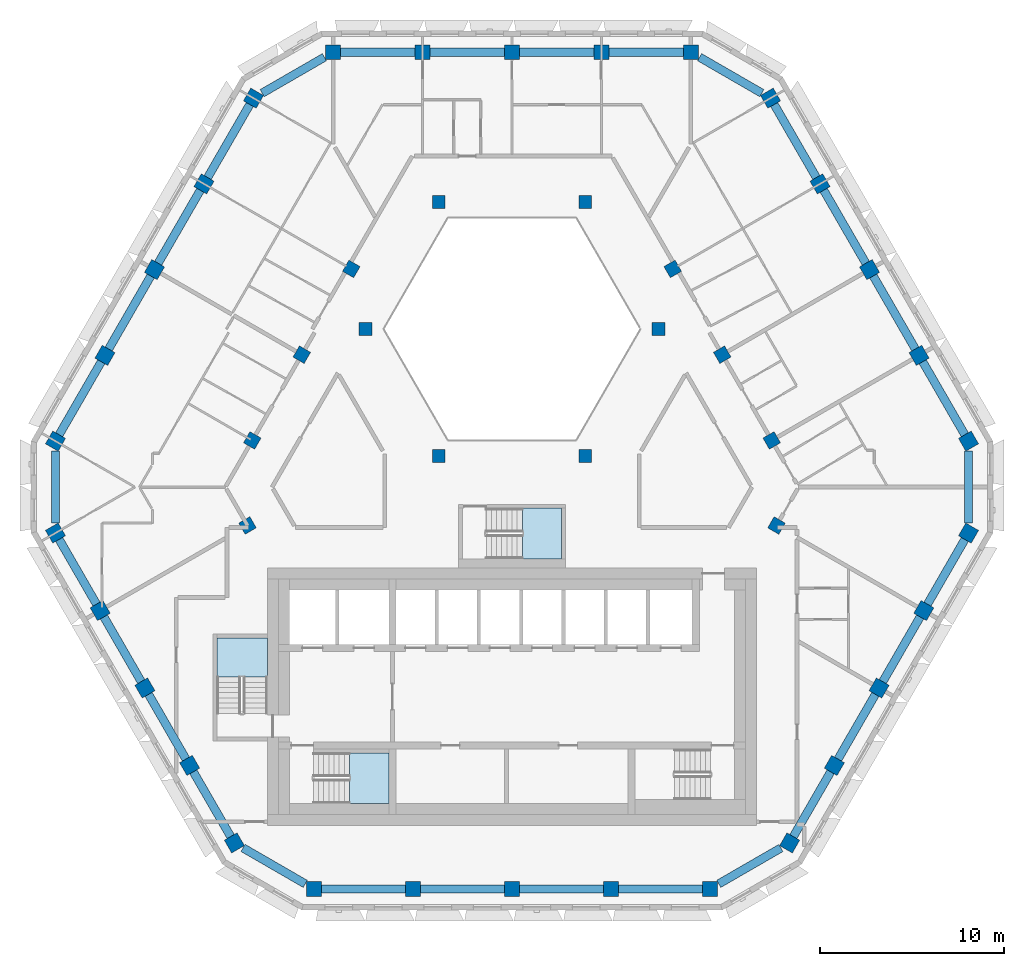
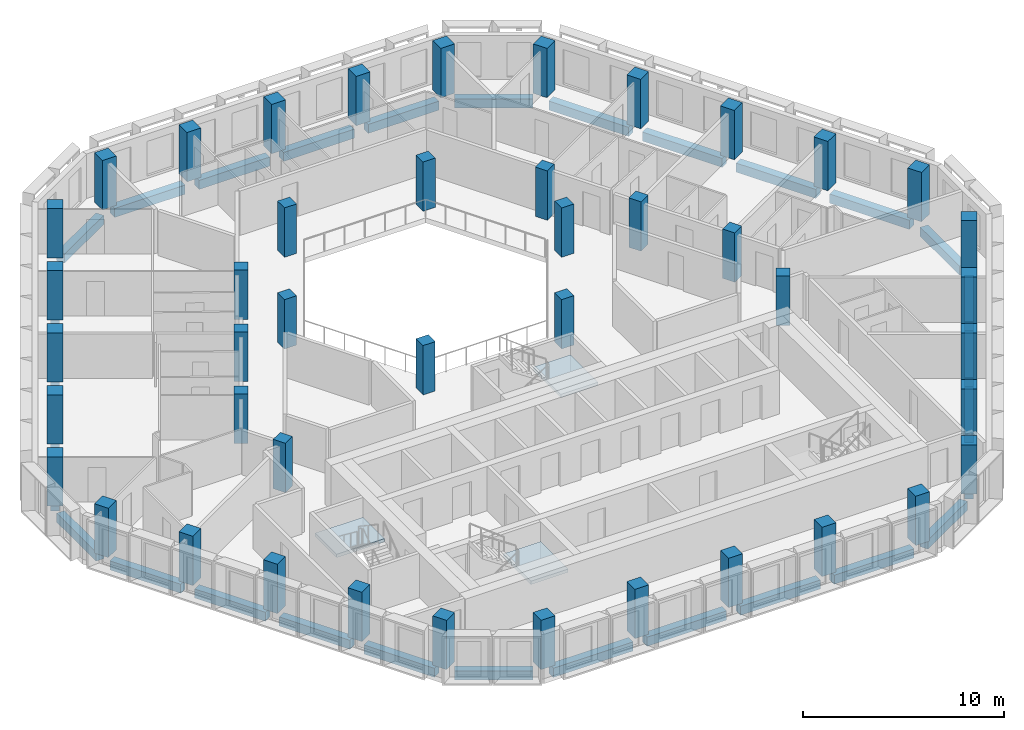
# One storey, part 1 of 18: 44 columns, 30 beams, 3 slabs, 3 elements without a shape of their own.
"""IFC4 building model written with IfcOpenShell, lengths in metres."""

from ifc_helpers import new_model, si_unit, direction, frame, origin, origin_2d, place, context, subcontext, project, spatial, polyline, rectangle, outline, extrude, material, layer, layer_set, material_profile, profile_set, type_object, element, aggregate, save


model = new_model("IFC4")

# Units and contexts
model_context = context("Model", 3, precision=1e-05, world=origin(), true_north=direction((0.0, 1.0)))
body_context = subcontext(model_context, "Body", "Model", "MODEL_VIEW")
ifc_project = project(units=[si_unit("LENGTHUNIT", "METRE"), si_unit("AREAUNIT", "SQUARE_METRE"), si_unit("VOLUMEUNIT", "CUBIC_METRE"), si_unit("PLANEANGLEUNIT", "RADIAN"), si_unit("MASSUNIT", "GRAM", prefix="KILO")], contexts=[model_context])

# Site, building, storey
site_placement = place(None, origin())
site = spatial("IfcSite", under=ifc_project, at=site_placement, CompositionType="ELEMENT")
building_placement = place(site_placement, origin())
building = spatial("IfcBuilding", under=site, at=building_placement, Name="Beryl Residences", CompositionType="ELEMENT")
storey_placement = place(building_placement, frame((0.0, 0.0, 184.199951171875)))
storey = spatial("IfcBuildingStorey", under=building, at=storey_placement, Name="L56", CompositionType="ELEMENT", Elevation=184.199951171875)

# Columns
ifc_material_1 = material(Name="Concrete C50/60", Category="concrete")
ifc_material_profile_1 = material_profile(ifc_material_1, rectangle(XDim=0.800048828125, YDim=0.800048828125, at=origin_2d()))
ifc_profile_set_1 = profile_set([ifc_material_profile_1], Name="Concrete C50/60")
column_type_1 = type_object("IfcColumnType", Name="C4 tube column 800 x 800 C50/60", PredefinedType="COLUMN", material=ifc_profile_set_1)
for number, where, z_axis, x_axis, name in (
    (1, (9.72802734375, 23.050048828125, 0.0), (0.0, 0.0, 1.0), (-1.0, 0.0, 0.0), "C4-N1 L56"),
    (2, (4.864013671875, 23.050048828125, 0.0), (0.0, 0.0, 1.0), (-1.0, 0.0, 0.0), "C4-N2 L56"),
    (3, (0.0, 23.050048828125, 0.0), (0.0, 0.0, 1.0), (-1.0, 0.0, 0.0), "C4-N3 L56"),
    (4, (-4.864013671875, 23.050048828125, 0.0), (0.0, 0.0, 1.0), (-1.0, 0.0, 0.0), "C4-N4 L56"),
    (5, (-9.72802734375, 23.050048828125, 0.0), (0.0, 0.0, 1.0), (-1.0, 0.0, 0.0), "C4-N5 L56"),
    (6, (-14.05810546875, 20.550048828125, 0.0), (0.0, 0.0, 1.0), (-0.5, -0.866025403784, 0.0), "C4-NW1 L56"),
    (7, (-16.75, 15.887939453125, 0.0), (0.0, 0.0, 1.0), (-0.5, -0.866025403784, 0.0), "C4-NW2 L56"),
    (8, (-19.44189453125, 11.22509765625, 0.0), (0.0, 0.0, 1.0), (-0.5, -0.866025403784, 0.0), "C4-NW3 L56"),
    (9, (-22.134033203125, 6.56201171875, 0.0), (0.0, 0.0, 1.0), (-0.5, -0.866025403784, 0.0), "C4-NW4 L56"),
    (10, (-24.825927734375, 1.89990234375, 0.0), (0.0, 0.0, 1.0), (-0.5, -0.866025403784, 0.0), "C4-NW5 L56"),
    (11, (-24.825927734375, -3.09912109375, 0.0), (0.0, 0.0, 1.0), (0.5, -0.866025403784, 0.0), "C4-SW1 L56"),
    (12, (-22.39404296875, -7.31201171875, 0.0), (0.0, 0.0, 1.0), (0.5, -0.866025403784, 0.0), "C4-SW2 L56"),
    (13, (-19.9619140625, -11.52392578125, 0.0), (0.0, 0.0, 1.0), (0.5, -0.866025403784, 0.0), "C4-SW3 L56"),
    (14, (-17.530029296875, -15.736083984375, 0.0), (0.0, 0.0, 1.0), (0.5, -0.866025403784, 0.0), "C4-SW4 L56"),
    (15, (-15.097900390625, -19.948974609375, 0.0), (0.0, 0.0, 1.0), (0.5, -0.866025403784, 0.0), "C4-SW5 L56"),
    (16, (-10.76708984375, -22.449951171875, 0.0), (0.0, 0.0, 1.0), (1.0, 0.0, 0.0), "C4-S1 L56"),
    (17, (-5.383056640625, -22.449951171875, 0.0), (0.0, 0.0, 1.0), (1.0, 0.0, 0.0), "C4-S2 L56"),
    (18, (0.0009765625, -22.449951171875, 0.0), (0.0, 0.0, 1.0), (1.0, 0.0, 0.0), "C4-S3 L56"),
    (19, (5.385009765625, -22.449951171875, 0.0), (0.0, 0.0, 1.0), (1.0, 0.0, 0.0), "C4-S4 L56"),
    (20, (10.76904296875, -22.449951171875, 0.0), (0.0, 0.0, 1.0), (1.0, 0.0, 0.0), "C4-S5 L56"),
    (21, (15.096923828125, -19.950927734375, 0.0), (0.0, 0.0, 1.0), (0.5, 0.866025403784, 0.0), "C4-SE1 L56"),
    (22, (17.529052734375, -15.738037109375, 0.0), (0.0, 0.0, 1.0), (0.5, 0.866025403784, 0.0), "C4-SE2 L56"),
    (23, (19.9609375, -11.52587890625, 0.0), (0.0, 0.0, 1.0), (0.5, 0.866025403784, 0.0), "C4-SE3 L56"),
    (24, (22.39306640625, -7.31396484375, 0.0), (0.0, 0.0, 1.0), (0.5, 0.866025403784, 0.0), "C4-SE4 L56"),
    (25, (24.824951171875, -3.10107421875, 0.0), (0.0, 0.0, 1.0), (0.5, 0.866025403784, 0.0), "C4-SE5 L56"),
    (26, (24.825927734375, 1.89990234375, 0.0), (0.0, 0.0, 1.0), (-0.5, 0.866025403784, 0.0), "C4-NE1 L56"),
    (27, (22.134033203125, 6.56201171875, 0.0), (0.0, 0.0, 1.0), (-0.5, 0.866025403784, 0.0), "C4-NE2 L56"),
    (28, (19.44189453125, 11.22509765625, 0.0), (0.0, 0.0, 1.0), (-0.5, 0.866025403784, 0.0), "C4-NE3 L56"),
    (29, (16.75, 15.887939453125, 0.0), (0.0, 0.0, 1.0), (-0.5, 0.866025403784, 0.0), "C4-NE4 L56"),
    (30, (14.05810546875, 20.550048828125, 0.0), (0.0, 0.0, 1.0), (-0.5, 0.866025403784, 0.0), "C4-NE5 L56"),
):
    element("IfcColumn", number, at=place(storey_placement, frame(where, z_axis=z_axis, x_axis=x_axis)), inside=storey, type_object=column_type_1, Name=name, PredefinedType="COLUMN", context=body_context, shape_type="SweptSolid", body=[
        extrude(rectangle(XDim=0.800048828125, YDim=0.800048828125, at=origin_2d()), origin(), (0.0, 0.0, 1.0), 3.0),
    ])
ifc_material_2 = material(Name="Concrete C50/60", Category="concrete")
ifc_material_profile_2 = material_profile(ifc_material_2, rectangle(XDim=0.699951171875, YDim=0.699951171875, at=origin_2d()))
ifc_profile_set_2 = profile_set([ifc_material_profile_2], Name="Concrete C50/60")
column_type_2 = type_object("IfcColumnType", Name="IC4 interior column 700 x 700 C50/60", PredefinedType="COLUMN", material=ifc_profile_set_2)
for number, where, z_axis, x_axis, name in (
    (31, (-14.383056640625, -2.68701171875, 0.0), (0.0, 0.0, 1.0), (0.5, -0.866025403784, 0.0), "IC4-M01 L56"),
    (32, (14.382080078125, -2.68896484375, 0.0), (0.0, 0.0, 1.0), (0.5, 0.866025403784, 0.0), "IC4-M02 L56"),
    (33, (14.123046875, 1.93701171875, 0.0), (0.0, 0.0, 1.0), (-0.5, 0.866025403784, 0.0), "IC4-M03 L56"),
    (34, (3.98388671875, 1.10009765625, 0.0), (0.0, 0.0, 1.0), (1.0, 0.0, 0.0), "IC4-A04 L56"),
    (35, (11.430908203125, 6.60009765625, 0.0), (0.0, 0.0, 1.0), (-0.5, 0.866025403784, 0.0), "IC4-M05 L56"),
    (36, (7.967041015625, 8.0, 0.0), (0.0, 0.0, 1.0), (1.0, 0.0, 0.0), "IC4-A06 L56"),
    (37, (8.739013671875, 11.262939453125, 0.0), (0.0, 0.0, 1.0), (-0.5, 0.866025403784, 0.0), "IC4-M07 L56"),
    (38, (3.98388671875, 14.89990234375, 0.0), (0.0, 0.0, 1.0), (1.0, 0.0, 0.0), "IC4-A08 L56"),
    (39, (-3.98388671875, 14.89990234375, 0.0), (0.0, 0.0, 1.0), (1.0, 0.0, 0.0), "IC4-A09 L56"),
    (40, (-8.739013671875, 11.262939453125, 0.0), (0.0, 0.0, 1.0), (-0.5, -0.866025403784, 0.0), "IC4-M10 L56"),
    (41, (-7.967041015625, 8.0, 0.0), (0.0, 0.0, 1.0), (1.0, 0.0, 0.0), "IC4-A11 L56"),
    (42, (-11.430908203125, 6.60009765625, 0.0), (0.0, 0.0, 1.0), (-0.5, -0.866025403784, 0.0), "IC4-M12 L56"),
    (43, (-3.98388671875, 1.10009765625, 0.0), (0.0, 0.0, 1.0), (1.0, 0.0, 0.0), "IC4-A13 L56"),
    (44, (-14.123046875, 1.93701171875, 0.0), (0.0, 0.0, 1.0), (-0.5, -0.866025403784, 0.0), "IC4-M14 L56"),
):
    element("IfcColumn", number, at=place(storey_placement, frame(where, z_axis=z_axis, x_axis=x_axis)), inside=storey, type_object=column_type_2, Name=name, PredefinedType="COLUMN", context=body_context, shape_type="SweptSolid", body=[
        extrude(rectangle(XDim=0.699951171875, YDim=0.699951171875, at=origin_2d()), origin(), (0.0, 0.0, 1.0), 3.0),
    ])

# Beams
ifc_material_3 = material(Name="Concrete C50/60", Category="concrete")
ifc_material_profile_3 = material_profile(ifc_material_3, rectangle(XDim=0.449951171875, YDim=0.550048828125, at=origin_2d()))
ifc_profile_set_3 = profile_set([ifc_material_profile_3], Name="Concrete C50/60")
beam_type = type_object("IfcBeamType", Name="SB4 spandrel beam 450 x 550 C50/60", PredefinedType="SPANDREL", material=ifc_profile_set_3)
beam_1_placement = place(storey_placement, frame((9.327880859375, 23.050048828125, -0.574951171875), z_axis=(-1.0, 0.0, 0.0), x_axis=(0.0, -1.0, 0.0)))
element("IfcBeam", 45, at=beam_1_placement, inside=storey, type_object=beam_type, Name="SB4 L56 N-0", PredefinedType="SPANDREL", context=body_context, shape_type="SweptSolid", body=[
    extrude(rectangle(XDim=0.449951171875, YDim=0.550048828125, at=origin_2d()), origin(), (0.0, 0.0, 1.0), 4.06396484375),
])
for number, where, z_axis, x_axis, name in (
    (46, (4.464111328125, 23.050048828125, -0.574951171875), (-1.0, 0.0, 0.0), (0.0, -1.0, 0.0), "SB4 L56 N-1"),
    (47, (-0.39990234375, 23.050048828125, -0.574951171875), (-1.0, 0.0, 0.0), (0.0, -1.0, 0.0), "SB4 L56 N-2"),
):
    element("IfcBeam", number, at=place(storey_placement, frame(where, z_axis=z_axis, x_axis=x_axis)), inside=storey, type_object=beam_type, Name=name, PredefinedType="SPANDREL", context=body_context, shape_type="SweptSolid", body=[
        extrude(rectangle(XDim=0.449951171875, YDim=0.550048828125, at=origin_2d()), origin(), (0.0, 0.0, 1.0), 4.064208984375),
    ])
beam_2_placement = place(storey_placement, frame((-5.263916015625, 23.050048828125, -0.574951171875), z_axis=(-1.0, 0.0, 0.0), x_axis=(0.0, -1.0, 0.0)))
element("IfcBeam", 48, at=beam_2_placement, inside=storey, type_object=beam_type, Name="SB4 L56 N-3", PredefinedType="SPANDREL", context=body_context, shape_type="SweptSolid", body=[
    extrude(rectangle(XDim=0.449951171875, YDim=0.550048828125, at=origin_2d()), origin(), (0.0, 0.0, 1.0), 4.06396484375),
])
beam_3_placement = place(storey_placement, frame((-10.200927734375, 22.777099609375, -0.574951171875), z_axis=(-0.865988935984, -0.500063158763, 0.0), x_axis=(0.500063158763, -0.865988935984, 0.0)))
element("IfcBeam", 49, at=beam_3_placement, inside=storey, type_object=beam_type, Name="SB4 L56 N-4", PredefinedType="SPANDREL", context=body_context, shape_type="SweptSolid", body=[
    extrude(rectangle(XDim=0.449951171875, YDim=0.550048828125, at=origin_2d()), origin(), (0.0, 0.0, 1.0), 3.90771484375),
])
beam_4_placement = place(storey_placement, frame((-14.258056640625, 20.2041015625, -0.574951171875), z_axis=(-0.499965247104, -0.866045467449, 0.0), x_axis=(0.866045467449, -0.499965247104, 0.0)))
element("IfcBeam", 50, at=beam_4_placement, inside=storey, type_object=beam_type, Name="SB4 L56 NW-0", PredefinedType="SPANDREL", context=body_context, shape_type="SweptSolid", body=[
    extrude(rectangle(XDim=0.449951171875, YDim=0.550048828125, at=origin_2d()), origin(), (0.0, 0.0, 1.0), 4.584228515625),
])
for number, where, z_axis, x_axis, name in (
    (51, (-16.949951171875, 15.5419921875, -0.574951171875), (-0.499896077001, -0.866085395443, 0.0), (0.866085395443, -0.499896077001, 0.0), "SB4 L56 NW-1"),
    (52, (-19.64208984375, 10.87890625, -0.574951171875), (-0.499896077001, -0.866085395443, 0.0), (0.866085395443, -0.499896077001, 0.0), "SB4 L56 NW-2"),
):
    element("IfcBeam", number, at=place(storey_placement, frame(where, z_axis=z_axis, x_axis=x_axis)), inside=storey, type_object=beam_type, Name=name, PredefinedType="SPANDREL", context=body_context, shape_type="SweptSolid", body=[
        extrude(rectangle(XDim=0.449951171875, YDim=0.550048828125, at=origin_2d()), origin(), (0.0, 0.0, 1.0), 4.5849609375),
    ])
beam_5_placement = place(storey_placement, frame((-22.333984375, 6.216064453125, -0.574951171875), z_axis=(-0.49998830735, -0.866032154434, 0.0), x_axis=(0.866032154434, -0.49998830735, 0.0)))
element("IfcBeam", 53, at=beam_5_placement, inside=storey, type_object=beam_type, Name="SB4 L56 NW-3", PredefinedType="SPANDREL", context=body_context, shape_type="SweptSolid", body=[
    extrude(rectangle(XDim=0.449951171875, YDim=0.550048828125, at=origin_2d()), origin(), (0.0, 0.0, 1.0), 4.583984375),
])
beam_6_placement = place(storey_placement, frame((-24.825927734375, 1.35400390625, -0.574951171875), z_axis=(0.0, -1.0, 0.0), x_axis=(1.0, 0.0, 0.0)))
element("IfcBeam", 54, at=beam_6_placement, inside=storey, type_object=beam_type, Name="SB4 L56 NW-4", PredefinedType="SPANDREL", context=body_context, shape_type="SweptSolid", body=[
    extrude(rectangle(XDim=0.449951171875, YDim=0.550048828125, at=origin_2d()), origin(), (0.0, 0.0, 1.0), 3.906982421875),
])
beam_7_placement = place(storey_placement, frame((-24.6259765625, -3.445068359375, -0.574951171875), z_axis=(0.499840293234, -0.866117590896, 0.0), x_axis=(0.866117590896, 0.499840293234, 0.0)))
element("IfcBeam", 55, at=beam_7_placement, inside=storey, type_object=beam_type, Name="SB4 L56 SW-0", PredefinedType="SPANDREL", context=body_context, shape_type="SweptSolid", body=[
    extrude(rectangle(XDim=0.449951171875, YDim=0.550048828125, at=origin_2d()), origin(), (0.0, 0.0, 1.0), 4.065185546875),
])
beam_8_placement = place(storey_placement, frame((-22.194091796875, -7.657958984375, -0.574951171875), z_axis=(0.499944307952, -0.866057555216, 0.0), x_axis=(0.866057555216, 0.499944307952, 0.0)))
element("IfcBeam", 56, at=beam_8_placement, inside=storey, type_object=beam_type, Name="SB4 L56 SW-1", PredefinedType="SPANDREL", context=body_context, shape_type="SweptSolid", body=[
    extrude(rectangle(XDim=0.449951171875, YDim=0.550048828125, at=origin_2d()), origin(), (0.0, 0.0, 1.0), 4.064453125),
])
beam_9_placement = place(storey_placement, frame((-19.761962890625, -11.8701171875, -0.574951171875), z_axis=(0.499970317269, -0.866042540439, 0.0), x_axis=(0.866042540439, 0.499970317269, 0.0)))
element("IfcBeam", 57, at=beam_9_placement, inside=storey, type_object=beam_type, Name="SB4 L56 SW-2", PredefinedType="SPANDREL", context=body_context, shape_type="SweptSolid", body=[
    extrude(rectangle(XDim=0.449951171875, YDim=0.550048828125, at=origin_2d()), origin(), (0.0, 0.0, 1.0), 4.064208984375),
])
beam_10_placement = place(storey_placement, frame((-17.330078125, -16.08203125, -0.574951171875), z_axis=(0.499840293234, -0.866117590896, 0.0), x_axis=(0.866117590896, 0.499840293234, 0.0)))
element("IfcBeam", 58, at=beam_10_placement, inside=storey, type_object=beam_type, Name="SB4 L56 SW-3", PredefinedType="SPANDREL", context=body_context, shape_type="SweptSolid", body=[
    extrude(rectangle(XDim=0.449951171875, YDim=0.550048828125, at=origin_2d()), origin(), (0.0, 0.0, 1.0), 4.065185546875),
])
beam_11_placement = place(storey_placement, frame((-14.625, -20.221923828125, -0.574951171875), z_axis=(0.865943218558, -0.500142321977, 0.0), x_axis=(0.500142321977, 0.865943218558, 0.0)))
element("IfcBeam", 59, at=beam_11_placement, inside=storey, type_object=beam_type, Name="SB4 L56 SW-4", PredefinedType="SPANDREL", context=body_context, shape_type="SweptSolid", body=[
    extrude(rectangle(XDim=0.449951171875, YDim=0.550048828125, at=origin_2d()), origin(), (0.0, 0.0, 1.0), 3.908935546875),
])
for number, where, z_axis, x_axis, name in (
    (60, (-10.366943359375, -22.449951171875, -0.574951171875), (1.0, 0.0, 0.0), (0.0, 1.0, 0.0), "SB4 L56 S-0"),
    (61, (-4.98291015625, -22.449951171875, -0.574951171875), (1.0, 0.0, 0.0), (0.0, 1.0, 0.0), "SB4 L56 S-1"),
):
    element("IfcBeam", number, at=place(storey_placement, frame(where, z_axis=z_axis, x_axis=x_axis)), inside=storey, type_object=beam_type, Name=name, PredefinedType="SPANDREL", context=body_context, shape_type="SweptSolid", body=[
        extrude(rectangle(XDim=0.449951171875, YDim=0.550048828125, at=origin_2d()), origin(), (0.0, 0.0, 1.0), 4.583984375),
    ])
beam_12_placement = place(storey_placement, frame((0.40087890625, -22.449951171875, -0.574951171875), z_axis=(1.0, 0.0, 0.0), x_axis=(0.0, 1.0, 0.0)))
element("IfcBeam", 62, at=beam_12_placement, inside=storey, type_object=beam_type, Name="SB4 L56 S-2", PredefinedType="SPANDREL", context=body_context, shape_type="SweptSolid", body=[
    extrude(rectangle(XDim=0.449951171875, YDim=0.550048828125, at=origin_2d()), origin(), (0.0, 0.0, 1.0), 4.584228515625),
])
beam_13_placement = place(storey_placement, frame((5.784912109375, -22.449951171875, -0.574951171875), z_axis=(1.0, 0.0, 0.0), x_axis=(0.0, 1.0, 0.0)))
element("IfcBeam", 63, at=beam_13_placement, inside=storey, type_object=beam_type, Name="SB4 L56 S-3", PredefinedType="SPANDREL", context=body_context, shape_type="SweptSolid", body=[
    extrude(rectangle(XDim=0.449951171875, YDim=0.550048828125, at=origin_2d()), origin(), (0.0, 0.0, 1.0), 4.583984375),
])
beam_14_placement = place(storey_placement, frame((11.241943359375, -22.177001953125, -0.574951171875), z_axis=(0.865999234303, 0.500045324131, 0.0), x_axis=(-0.500045324131, 0.865999234303, 0.0)))
element("IfcBeam", 64, at=beam_14_placement, inside=storey, type_object=beam_type, Name="SB4 L56 S-4", PredefinedType="SPANDREL", context=body_context, shape_type="SweptSolid", body=[
    extrude(rectangle(XDim=0.449951171875, YDim=0.550048828125, at=origin_2d()), origin(), (0.0, 0.0, 1.0), 3.905517578125),
])
beam_15_placement = place(storey_placement, frame((15.297119140625, -19.60498046875, -0.574951171875), z_axis=(0.499840293234, 0.866117590896, 0.0), x_axis=(-0.866117590896, 0.499840293234, 0.0)))
element("IfcBeam", 65, at=beam_15_placement, inside=storey, type_object=beam_type, Name="SB4 L56 SE-0", PredefinedType="SPANDREL", context=body_context, shape_type="SweptSolid", body=[
    extrude(rectangle(XDim=0.449951171875, YDim=0.550048828125, at=origin_2d()), origin(), (0.0, 0.0, 1.0), 4.065185546875),
])
for number, where, z_axis, x_axis, name in (
    (66, (17.72900390625, -15.39208984375, -0.574951171875), (0.499944307952, 0.866057555216, 0.0), (-0.866057555216, 0.499944307952, 0.0), "SB4 L56 SE-1"),
    (67, (20.160888671875, -11.179931640625, -0.574951171875), (0.499989360119, 0.866031546636, 0.0), (-0.866031546636, 0.499989360119, 0.0), "SB4 L56 SE-2"),
):
    element("IfcBeam", number, at=place(storey_placement, frame(where, z_axis=z_axis, x_axis=x_axis)), inside=storey, type_object=beam_type, Name=name, PredefinedType="SPANDREL", context=body_context, shape_type="SweptSolid", body=[
        extrude(rectangle(XDim=0.449951171875, YDim=0.550048828125, at=origin_2d()), origin(), (0.0, 0.0, 1.0), 4.064453125),
    ])
beam_16_placement = place(storey_placement, frame((22.593017578125, -6.968017578125, -0.574951171875), z_axis=(0.499840293234, 0.866117590896, 0.0), x_axis=(-0.866117590896, 0.499840293234, 0.0)))
element("IfcBeam", 68, at=beam_16_placement, inside=storey, type_object=beam_type, Name="SB4 L56 SE-3", PredefinedType="SPANDREL", context=body_context, shape_type="SweptSolid", body=[
    extrude(rectangle(XDim=0.449951171875, YDim=0.550048828125, at=origin_2d()), origin(), (0.0, 0.0, 1.0), 4.065185546875),
])
beam_17_placement = place(storey_placement, frame((24.824951171875, -2.554931640625, -0.574951171875), z_axis=(0.000249828235, 0.999999968793, 0.0), x_axis=(-0.999999968793, 0.000249828235, 0.0)))
element("IfcBeam", 69, at=beam_17_placement, inside=storey, type_object=beam_type, Name="SB4 L56 SE-4", PredefinedType="SPANDREL", context=body_context, shape_type="SweptSolid", body=[
    extrude(rectangle(XDim=0.449951171875, YDim=0.550048828125, at=origin_2d()), origin(), (0.0, 0.0, 1.0), 3.908935546875),
])
beam_18_placement = place(storey_placement, frame((24.6259765625, 2.24609375, -0.574951171875), z_axis=(-0.49998830735, 0.866032154434, 0.0), x_axis=(-0.866032154434, -0.49998830735, 0.0)))
element("IfcBeam", 70, at=beam_18_placement, inside=storey, type_object=beam_type, Name="SB4 L56 NE-0", PredefinedType="SPANDREL", context=body_context, shape_type="SweptSolid", body=[
    extrude(rectangle(XDim=0.449951171875, YDim=0.550048828125, at=origin_2d()), origin(), (0.0, 0.0, 1.0), 4.583984375),
])
for number, where, z_axis, x_axis, name in (
    (71, (21.93408203125, 6.907958984375, -0.574951171875), (-0.499896077001, 0.866085395443, 0.0), (-0.866085395443, -0.499896077001, 0.0), "SB4 L56 NE-1"),
    (72, (19.241943359375, 11.571044921875, -0.574951171875), (-0.499896077001, 0.866085395443, 0.0), (-0.866085395443, -0.499896077001, 0.0), "SB4 L56 NE-2"),
):
    element("IfcBeam", number, at=place(storey_placement, frame(where, z_axis=z_axis, x_axis=x_axis)), inside=storey, type_object=beam_type, Name=name, PredefinedType="SPANDREL", context=body_context, shape_type="SweptSolid", body=[
        extrude(rectangle(XDim=0.449951171875, YDim=0.550048828125, at=origin_2d()), origin(), (0.0, 0.0, 1.0), 4.5849609375),
    ])
beam_19_placement = place(storey_placement, frame((16.550048828125, 16.23388671875, -0.574951171875), z_axis=(-0.499965247104, 0.866045467449, 0.0), x_axis=(-0.866045467449, -0.499965247104, 0.0)))
element("IfcBeam", 73, at=beam_19_placement, inside=storey, type_object=beam_type, Name="SB4 L56 NE-3", PredefinedType="SPANDREL", context=body_context, shape_type="SweptSolid", body=[
    extrude(rectangle(XDim=0.449951171875, YDim=0.550048828125, at=origin_2d()), origin(), (0.0, 0.0, 1.0), 4.584228515625),
])
beam_20_placement = place(storey_placement, frame((13.5849609375, 20.822998046875, -0.574951171875), z_axis=(-0.865988935984, 0.500063158763, 0.0), x_axis=(-0.500063158763, -0.865988935984, 0.0)))
element("IfcBeam", 74, at=beam_20_placement, inside=storey, type_object=beam_type, Name="SB4 L56 NE-4", PredefinedType="SPANDREL", context=body_context, shape_type="SweptSolid", body=[
    extrude(rectangle(XDim=0.449951171875, YDim=0.550048828125, at=origin_2d()), origin(), (0.0, 0.0, 1.0), 3.90771484375),
])

# Stair, slab
ifc_material_4 = material(Name="Concrete C40/50", Category="concrete")
stair_type = type_object("IfcStairType", Name="ST1 protected exit stair, half-turn, 1300 mm flights", PredefinedType="HALF_TURN_STAIR", material=ifc_material_4)
stair_1_placement = place(storey_placement, origin())
stair_1 = element("IfcStair", 75, at=stair_1_placement, inside=storey, type_object=stair_type, Name="L56 PROTECTED EXIT STAIR ST-1", PredefinedType="HALF_TURN_STAIR")
ifc_material_5 = material(Name="Concrete C40/50", Category="concrete")
ifc_layer = layer(ifc_material_5, 0.199951171875)
ifc_layer_set = layer_set([ifc_layer], Name="SLD1 stair landing 200 mm")
slab_type = type_object("IfcSlabType", Name="SLD1 stair landing 200 mm", PredefinedType="LANDING", material=ifc_layer_set)
slab_1_placement = place(storey_placement, frame((0.0, 0.0, 1.300048828125)))
slab_1 = element("IfcSlab", 76, at=slab_1_placement, type_object=slab_type, Name="ST-1 landing 1", PredefinedType="LANDING", context=body_context, shape_type="SweptSolid", body=[
    extrude(outline(polyline([(-8.840087890625, -17.800048828125), (-6.699951171875, -17.800048828125), (-6.699951171875, -15.050048828125), (-8.840087890625, -15.050048828125), (-8.840087890625, -17.800048828125)])), origin(), (0.0, 0.0, 1.0), 0.199951171875),
])
aggregate(stair_1, [slab_1])

stair_2_placement = place(storey_placement, origin())
stair_2 = element("IfcStair", 77, at=stair_2_placement, inside=storey, type_object=stair_type, Name="L56 PROTECTED EXIT STAIR ST-2", PredefinedType="HALF_TURN_STAIR")
slab_2_placement = place(storey_placement, frame((0.0, 0.0, 1.300048828125)))
slab_2 = element("IfcSlab", 78, at=slab_2_placement, type_object=slab_type, Name="ST-2 landing 1", PredefinedType="LANDING", context=body_context, shape_type="SweptSolid", body=[
    extrude(outline(polyline([(-13.300048828125, -10.93994140625), (-13.300048828125, -8.800048828125), (-16.050048828125, -8.800048828125), (-16.050048828125, -10.93994140625), (-13.300048828125, -10.93994140625)])), origin(), (0.0, 0.0, 1.0), 0.199951171875),
])
aggregate(stair_2, [slab_2])

stair_3_placement = place(storey_placement, origin())
stair_3 = element("IfcStair", 79, at=stair_3_placement, inside=storey, type_object=stair_type, Name="L56 PROTECTED EXIT STAIR ST-4", PredefinedType="HALF_TURN_STAIR")
slab_3_placement = place(storey_placement, frame((0.0, 0.0, 1.300048828125)))
slab_3 = element("IfcSlab", 80, at=slab_3_placement, type_object=slab_type, Name="ST-4 landing 1", PredefinedType="LANDING", context=body_context, shape_type="SweptSolid", body=[
    extrude(outline(polyline([(0.56005859375, -4.5), (2.699951171875, -4.5), (2.699951171875, -1.75), (0.56005859375, -1.75), (0.56005859375, -4.5)])), origin(), (0.0, 0.0, 1.0), 0.199951171875),
])
aggregate(stair_3, [slab_3])

save(model, "model.ifc")
